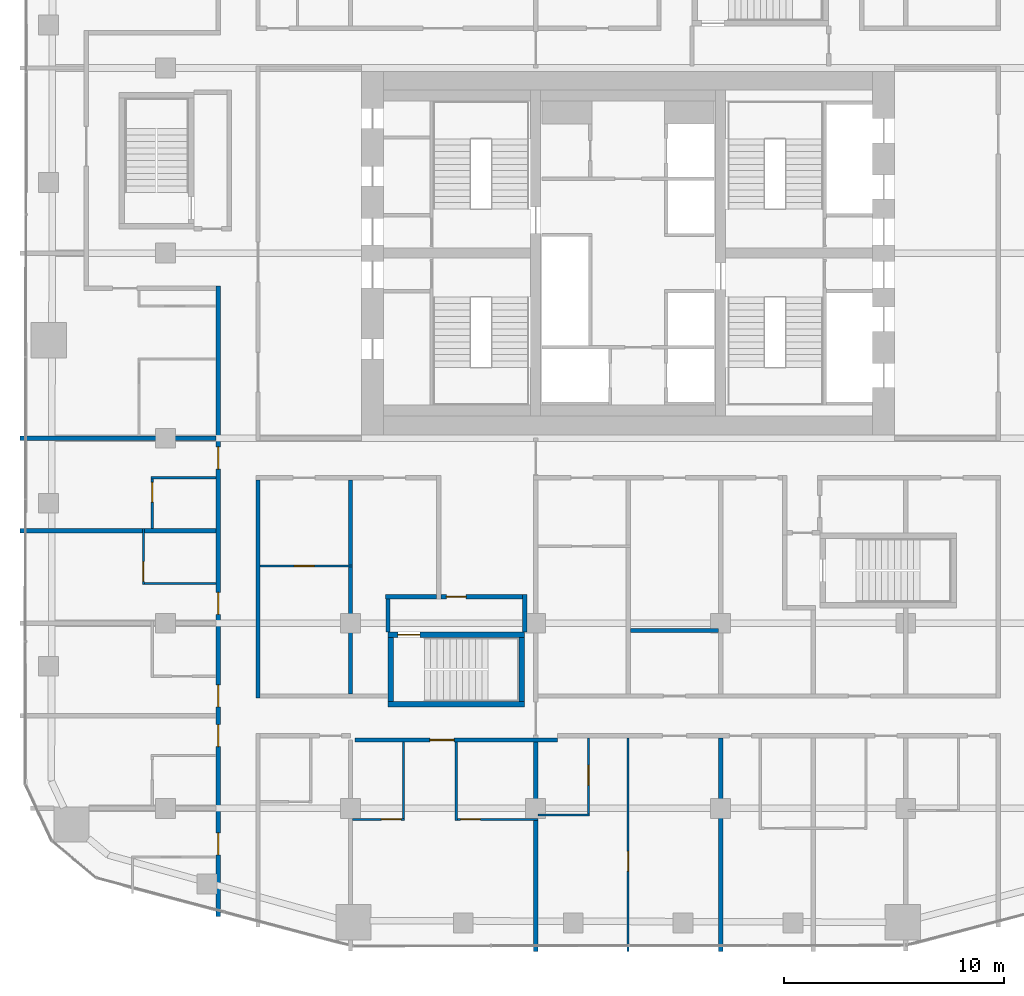
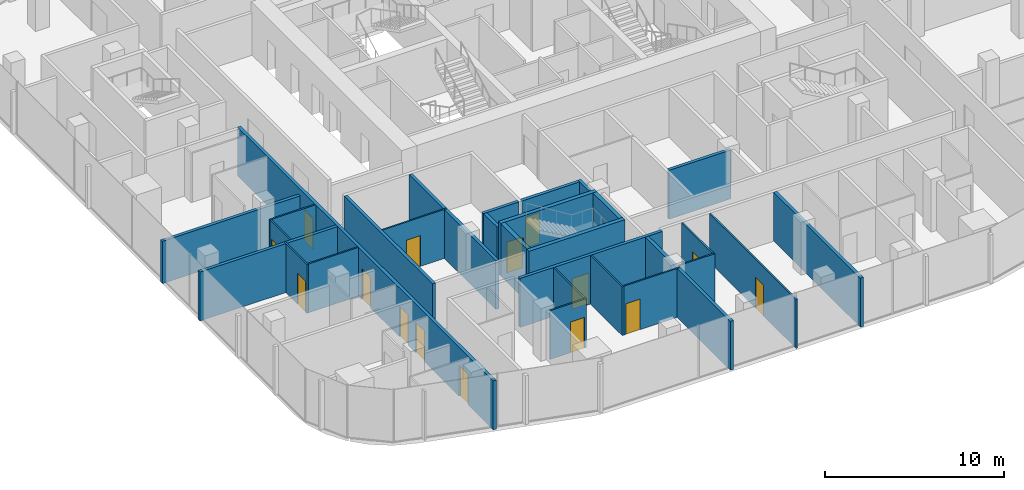
# One storey, part 14 of 23: 29 walls, 15 doors, 15 openings.
"""IFC4 building model written with IfcOpenShell, lengths in metres."""

from ifc_helpers import new_model, si_unit, direction, frame, frame_2d, origin, place, context, subcontext, project, spatial, rectangle, extrude, material, layer, layer_set, type_object, element, fill, save


model = new_model("IFC4")

# Units and contexts
model_context = context("Model", 3, precision=1e-05, world=origin(), true_north=direction((0.0, 1.0)))
body_context = subcontext(model_context, "Body", "Model", "MODEL_VIEW")
ifc_project = project(units=[si_unit("LENGTHUNIT", "METRE"), si_unit("AREAUNIT", "SQUARE_METRE"), si_unit("VOLUMEUNIT", "CUBIC_METRE"), si_unit("PLANEANGLEUNIT", "RADIAN"), si_unit("MASSUNIT", "GRAM", prefix="KILO")], contexts=[model_context])

# Site, building, storey
site_placement = place(None, origin())
site = spatial("IfcSite", under=ifc_project, at=site_placement, CompositionType="ELEMENT")
building_placement = place(site_placement, origin())
building = spatial("IfcBuilding", under=site, at=building_placement, Name="Marenta Gate Hotel Tower", CompositionType="ELEMENT")
storey_placement = place(building_placement, frame((0.0, 0.0, 148.10009765625)))
storey = spatial("IfcBuildingStorey", under=building, at=storey_placement, Name="L34", CompositionType="ELEMENT", Elevation=148.10009765625)

# Walls
ifc_material_1 = material(Name="Concrete blockwork", Category="masonry")
ifc_layer_1 = layer(ifc_material_1, 0.199951171875)
ifc_layer_set_1 = layer_set([ifc_layer_1], Name="Concrete blockwork")
wall_type_1 = type_object("IfcWallType", Name="Compartment wall 200 REI 180", PredefinedType="PARTITIONING", material=ifc_layer_set_1)
wall_1_placement = place(storey_placement, frame((-4.199951171875, -23.300048828125, 0.0), z_axis=(0.0, 0.0, 1.0), x_axis=(0.0, 1.0, 0.0)))
element("IfcWall", 1, at=wall_1_placement, inside=storey, type_object=wall_type_1, Name="L34-PTN-W073", PredefinedType="PARTITIONING", context=body_context, shape_type="SweptSolid", body=[
    extrude(rectangle(XDim=9.5, YDim=0.199951171875, at=frame_2d((4.75, 0.0))), origin(), (0.0, 0.0, 1.0), 3.33984375),
])
ifc_material_2 = material(Name="Concrete C40", Category="concrete")
ifc_layer_2 = layer(ifc_material_2, 0.25)
ifc_layer_set_2 = layer_set([ifc_layer_2], Name="Concrete C40")
wall_type_2 = type_object("IfcWallType", Name="Remote stair enclosure wall 250 REI 180", PredefinedType="SHEAR", material=ifc_layer_set_2)
wall_2_placement = place(storey_placement, frame((-10.89990234375, -12.074951171875, 0.099853515625), z_axis=(0.0, 0.0, 1.0), x_axis=(1.0, 0.0, 0.0)))
element("IfcWall", 2, at=wall_2_placement, inside=storey, type_object=wall_type_2, Name="L34-RS-Z2-1-W1", PredefinedType="SHEAR", context=body_context, shape_type="SweptSolid", body=[
    extrude(rectangle(XDim=6.199951171875, YDim=0.25, at=frame_2d((3.10009765625, 0.0))), origin(), (0.0, 0.0, 1.0), 3.60009765625),
])

# Wall, opening, door
wall_3_placement = place(storey_placement, frame((-10.89990234375, -8.925048828125, 0.099853515625), z_axis=(0.0, 0.0, 1.0), x_axis=(1.0, 0.0, 0.0)))
wall_3 = element("IfcWall", 3, at=wall_3_placement, inside=storey, type_object=wall_type_2, Name="L34-RS-Z2-1-W2", PredefinedType="SHEAR", context=body_context, shape_type="SweptSolid", body=[
    extrude(rectangle(XDim=6.199951171875, YDim=0.25, at=frame_2d((3.10009765625, 0.0))), origin(), (0.0, 0.0, 1.0), 3.60009765625),
])
opening_1_placement = place(wall_3_placement, frame((0.449951171875, 0.0, 0.0)))
opening_1 = element("IfcOpeningElement", 4, at=opening_1_placement, cuts=wall_3, Name="Opening VD", PredefinedType="OPENING", context=body_context, shape_type="SweptSolid", body=[
    extrude(rectangle(XDim=1.0, YDim=2.10009765625, at=frame_2d((0.5, 1.050048828125))), frame((0.0, 0.125, 0.0), z_axis=(0.0, -1.0, 0.0), x_axis=(1.0, 0.0, 0.0)), (0.0, 0.0, 1.0), 0.25),
])
ifc_material_3 = material(Name="Steel", Category="steel")
door_type_1 = type_object("IfcDoorType", Name="Stair vestibule door 1000x2100 FD60", OperationType="SINGLE_SWING_LEFT", PredefinedType="DOOR", material=ifc_material_3)
door_1_placement = place(opening_1_placement, origin())
door_1 = element("IfcDoor", 5, at=door_1_placement, inside=storey, type_object=door_type_1, Name="VD", OperationType="SINGLE_SWING_LEFT", OverallHeight=2.10009765625, OverallWidth=1.0, PredefinedType="DOOR", context=body_context, shape_type="SweptSolid", body=[
    extrude(rectangle(XDim=1.0, YDim=2.10009765625, at=frame_2d((0.5, 1.050048828125))), frame((0.0, 0.02490234375, 0.0), z_axis=(0.0, -1.0, 0.0), x_axis=(1.0, 0.0, 0.0)), (0.0, 0.0, 1.0), 0.050048828125),
])
fill(opening_1, door_1)

# Walls
for number, where, z_axis, x_axis, name in (
    (6, (-10.77490234375, -11.949951171875, 0.099853515625), (0.0, 0.0, 1.0), (0.0, 1.0, 0.0), "L34-RS-Z2-1-W3"),
    (7, (-4.824951171875, -11.949951171875, 0.099853515625), (0.0, 0.0, 1.0), (0.0, 1.0, 0.0), "L34-RS-Z2-1-W4"),
):
    element("IfcWall", number, at=place(storey_placement, frame(where, z_axis=z_axis, x_axis=x_axis)), inside=storey, type_object=wall_type_2, Name=name, PredefinedType="SHEAR", context=body_context, shape_type="SweptSolid", body=[
        extrude(rectangle(XDim=2.89990234375, YDim=0.25, at=frame_2d((1.449951171875, 0.0))), origin(), (0.0, 0.0, 1.0), 3.60009765625),
    ])

# Wall, opening, door
ifc_material_4 = material(Name="Gypsum board on steel stud", Category="steel")
ifc_layer_3 = layer(ifc_material_4, 0.199951171875)
ifc_layer_set_3 = layer_set([ifc_layer_3], Name="Gypsum board on steel stud")
wall_type_3 = type_object("IfcWallType", Name="Room corridor wall 200 EI 60", PredefinedType="PARTITIONING", material=ifc_layer_set_3)
wall_4_placement = place(storey_placement, frame((-12.39990234375, -13.699951171875, 0.0), z_axis=(0.0, 0.0, 1.0), x_axis=(1.0, 0.0, 0.0)))
wall_4 = element("IfcWall", 8, at=wall_4_placement, inside=storey, type_object=wall_type_3, Name="L34-PTN-W024", PredefinedType="PARTITIONING", context=body_context, shape_type="SweptSolid", body=[
    extrude(rectangle(XDim=9.199951171875, YDim=0.199951171875, at=frame_2d((4.60009765625, 0.0))), origin(), (0.0, 0.0, 1.0), 3.33984375),
])
opening_2_placement = place(wall_4_placement, frame((3.39990234375, 0.0, 0.0)))
opening_2 = element("IfcOpeningElement", 9, at=opening_2_placement, cuts=wall_4, Name="Opening G13-31", PredefinedType="OPENING", context=body_context, shape_type="SweptSolid", body=[
    extrude(rectangle(XDim=1.10009765625, YDim=2.10009765625, at=frame_2d((0.550048828125, 1.050048828125))), frame((0.0, 0.10009765625, 0.0), z_axis=(0.0, -1.0, 0.0), x_axis=(1.0, 0.0, 0.0)), (0.0, 0.0, 1.0), 0.199951171875),
])
ifc_material_5 = material(Name="Timber door leaf", Category="wood")
door_type_2 = type_object("IfcDoorType", Name="Guest room door 1100x2100 EI 30", OperationType="NOTDEFINED", PredefinedType="DOOR", material=ifc_material_5)
door_2_placement = place(opening_2_placement, origin())
door_2 = element("IfcDoor", 10, at=door_2_placement, inside=storey, type_object=door_type_2, Name="L34-PD-D031", OperationType="SINGLE_SWING_LEFT", OverallHeight=2.10009765625, OverallWidth=1.10009765625, PredefinedType="DOOR", context=body_context, shape_type="SweptSolid", body=[
    extrude(rectangle(XDim=1.10009765625, YDim=2.10009765625, at=frame_2d((0.550048828125, 1.050048828125))), frame((0.0, 0.02490234375, 0.0), z_axis=(0.0, -1.0, 0.0), x_axis=(1.0, 0.0, 0.0)), (0.0, 0.0, 1.0), 0.050048828125),
])
fill(opening_2, door_2)

# Wall
wall_5_placement = place(storey_placement, frame((-16.800048828125, -11.800048828125, 0.0), z_axis=(0.0, 0.0, 1.0), x_axis=(0.0, 1.0, 0.0)))
element("IfcWall", 11, at=wall_5_placement, inside=storey, type_object=wall_type_3, Name="L34-PTN-W095", PredefinedType="PARTITIONING", context=body_context, shape_type="SweptSolid", body=[
    extrude(rectangle(XDim=9.900146484375, YDim=0.199951171875, at=frame_2d((4.9501953125, 0.0))), origin(), (0.0, 0.0, 1.0), 3.33984375),
])

# Wall, openings, doors
wall_6_placement = place(storey_placement, frame((-18.60009765625, -21.7080078125, 0.0), z_axis=(0.0, 0.0, 1.0), x_axis=(0.0, 1.0, 0.0)))
wall_6 = element("IfcWall", 12, at=wall_6_placement, inside=storey, type_object=wall_type_3, Name="L34-PTN-W101", PredefinedType="PARTITIONING", context=body_context, shape_type="SweptSolid", body=[
    extrude(rectangle(XDim=28.60791015625, YDim=0.199951171875, at=frame_2d((14.303955078125, 0.0))), origin(), (0.0, 0.0, 1.0), 3.33984375),
])
opening_3_placement = place(wall_6_placement, frame((2.800048828125, 0.0, 0.0)))
opening_3 = element("IfcOpeningElement", 13, at=opening_3_placement, cuts=wall_6, Name="Opening G13-43", PredefinedType="OPENING", context=body_context, shape_type="SweptSolid", body=[
    extrude(rectangle(XDim=1.0, YDim=2.10009765625, at=frame_2d((0.5, 1.050048828125))), frame((0.0, 0.10009765625, 0.0), z_axis=(0.0, -1.0, 0.0), x_axis=(1.0, 0.0, 0.0)), (0.0, 0.0, 1.0), 0.199951171875),
])
opening_4_placement = place(wall_6_placement, frame((7.7080078125, 0.0, 0.0)))
opening_4 = element("IfcOpeningElement", 14, at=opening_4_placement, cuts=wall_6, Name="Opening G13-45", PredefinedType="OPENING", context=body_context, shape_type="SweptSolid", body=[
    extrude(rectangle(XDim=1.0, YDim=2.10009765625, at=frame_2d((0.5, 1.050048828125))), frame((0.0, 0.10009765625, 0.0), z_axis=(0.0, -1.0, 0.0), x_axis=(1.0, 0.0, 0.0)), (0.0, 0.0, 1.0), 0.199951171875),
])
opening_5_placement = place(wall_6_placement, frame((9.508056640625, 0.0, 0.0)))
opening_5 = element("IfcOpeningElement", 15, at=opening_5_placement, cuts=wall_6, Name="Opening G13-47", PredefinedType="OPENING", context=body_context, shape_type="SweptSolid", body=[
    extrude(rectangle(XDim=1.0, YDim=2.10009765625, at=frame_2d((0.5, 1.050048828125))), frame((0.0, 0.10009765625, 0.0), z_axis=(0.0, -1.0, 0.0), x_axis=(1.0, 0.0, 0.0)), (0.0, 0.0, 1.0), 0.199951171875),
])
opening_6_placement = place(wall_6_placement, frame((13.7080078125, 0.0, 0.0)))
opening_6 = element("IfcOpeningElement", 16, at=opening_6_placement, cuts=wall_6, Name="Opening G13-49", PredefinedType="OPENING", context=body_context, shape_type="SweptSolid", body=[
    extrude(rectangle(XDim=1.0, YDim=2.10009765625, at=frame_2d((0.5, 1.050048828125))), frame((0.0, 0.10009765625, 0.0), z_axis=(0.0, -1.0, 0.0), x_axis=(1.0, 0.0, 0.0)), (0.0, 0.0, 1.0), 0.199951171875),
])
opening_7_placement = place(wall_6_placement, frame((20.30810546875, 0.0, 0.0)))
opening_7 = element("IfcOpeningElement", 17, at=opening_7_placement, cuts=wall_6, Name="Opening G13-51", PredefinedType="OPENING", context=body_context, shape_type="SweptSolid", body=[
    extrude(rectangle(XDim=1.0, YDim=2.10009765625, at=frame_2d((0.5, 1.050048828125))), frame((0.0, 0.10009765625, 0.0), z_axis=(0.0, -1.0, 0.0), x_axis=(1.0, 0.0, 0.0)), (0.0, 0.0, 1.0), 0.199951171875),
])
ifc_material_6 = material(Name="Timber door leaf", Category="wood")
door_type_3 = type_object("IfcDoorType", Name="Guest room door 1000x2100 EI 30", OperationType="NOTDEFINED", PredefinedType="DOOR", material=ifc_material_6)
door_3_placement = place(opening_3_placement, origin())
door_3 = element("IfcDoor", 18, at=door_3_placement, inside=storey, type_object=door_type_3, Name="L34-PD-D043", OperationType="SINGLE_SWING_LEFT", OverallHeight=2.10009765625, OverallWidth=1.0, PredefinedType="DOOR", context=body_context, shape_type="SweptSolid", body=[
    extrude(rectangle(XDim=1.0, YDim=2.10009765625, at=frame_2d((0.5, 1.050048828125))), frame((0.0, 0.02490234375, 0.0), z_axis=(0.0, -1.0, 0.0), x_axis=(1.0, 0.0, 0.0)), (0.0, 0.0, 1.0), 0.050048828125),
])
fill(opening_3, door_3)
door_4_placement = place(opening_4_placement, origin())
door_4 = element("IfcDoor", 19, at=door_4_placement, inside=storey, type_object=door_type_3, Name="L34-PD-D045", OperationType="SINGLE_SWING_RIGHT", OverallHeight=2.10009765625, OverallWidth=1.0, PredefinedType="DOOR", context=body_context, shape_type="SweptSolid", body=[
    extrude(rectangle(XDim=1.0, YDim=2.10009765625, at=frame_2d((0.5, 1.050048828125))), frame((0.0, 0.02490234375, 0.0), z_axis=(0.0, -1.0, 0.0), x_axis=(1.0, 0.0, 0.0)), (0.0, 0.0, 1.0), 0.050048828125),
])
fill(opening_4, door_4)
door_5_placement = place(opening_5_placement, origin())
door_5 = element("IfcDoor", 20, at=door_5_placement, inside=storey, type_object=door_type_3, Name="L34-PD-D047", OperationType="SINGLE_SWING_RIGHT", OverallHeight=2.10009765625, OverallWidth=1.0, PredefinedType="DOOR", context=body_context, shape_type="SweptSolid", body=[
    extrude(rectangle(XDim=1.0, YDim=2.10009765625, at=frame_2d((0.5, 1.050048828125))), frame((0.0, 0.02490234375, 0.0), z_axis=(0.0, -1.0, 0.0), x_axis=(1.0, 0.0, 0.0)), (0.0, 0.0, 1.0), 0.050048828125),
])
fill(opening_5, door_5)
door_6_placement = place(opening_6_placement, origin())
door_6 = element("IfcDoor", 21, at=door_6_placement, inside=storey, type_object=door_type_3, Name="L34-PD-D049", OperationType="SINGLE_SWING_RIGHT", OverallHeight=2.10009765625, OverallWidth=1.0, PredefinedType="DOOR", context=body_context, shape_type="SweptSolid", body=[
    extrude(rectangle(XDim=1.0, YDim=2.10009765625, at=frame_2d((0.5, 1.050048828125))), frame((0.0, 0.02490234375, 0.0), z_axis=(0.0, -1.0, 0.0), x_axis=(1.0, 0.0, 0.0)), (0.0, 0.0, 1.0), 0.050048828125),
])
fill(opening_6, door_6)
door_7_placement = place(opening_7_placement, origin())
door_7 = element("IfcDoor", 22, at=door_7_placement, inside=storey, type_object=door_type_3, Name="L34-PD-D051", OperationType="SINGLE_SWING_RIGHT", OverallHeight=2.10009765625, OverallWidth=1.0, PredefinedType="DOOR", context=body_context, shape_type="SweptSolid", body=[
    extrude(rectangle(XDim=1.0, YDim=2.10009765625, at=frame_2d((0.5, 1.050048828125))), frame((0.0, 0.02490234375, 0.0), z_axis=(0.0, -1.0, 0.0), x_axis=(1.0, 0.0, 0.0)), (0.0, 0.0, 1.0), 0.050048828125),
])
fill(opening_7, door_7)

# Wall, opening, door
ifc_material_7 = material(Name="Concrete blockwork", Category="masonry")
ifc_layer_4 = layer(ifc_material_7, 0.199951171875)
ifc_layer_set_4 = layer_set([ifc_layer_4], Name="Concrete blockwork")
wall_type_4 = type_object("IfcWallType", Name="Room corridor wall 200 REI 180", PredefinedType="PARTITIONING", material=ifc_layer_set_4)
wall_7_placement = place(storey_placement, frame((-8.5, -7.199951171875, 0.0), z_axis=(0.0, 0.0, 1.0), x_axis=(1.0, 0.0, 0.0)))
wall_7 = element("IfcWall", 23, at=wall_7_placement, inside=storey, type_object=wall_type_4, Name="L34-PTN-W048", PredefinedType="PARTITIONING", context=body_context, shape_type="SweptSolid", body=[
    extrude(rectangle(XDim=3.699951171875, YDim=0.199951171875, at=frame_2d((1.85009765625, 0.0))), origin(), (0.0, 0.0, 1.0), 3.33984375),
])
opening_8_placement = place(wall_7_placement, frame((0.25, 0.0, 0.0)))
opening_8 = element("IfcOpeningElement", 24, at=opening_8_placement, cuts=wall_7, Name="Opening G13-59", PredefinedType="OPENING", context=body_context, shape_type="SweptSolid", body=[
    extrude(rectangle(XDim=0.89990234375, YDim=2.10009765625, at=frame_2d((0.449951171875, 1.050048828125))), frame((0.0, 0.10009765625, 0.0), z_axis=(0.0, -1.0, 0.0), x_axis=(1.0, 0.0, 0.0)), (0.0, 0.0, 1.0), 0.199951171875),
])
ifc_material_8 = material(Name="Hollow steel door set", Category="steel")
door_type_4 = type_object("IfcDoorType", Name="Stair vestibule door 900x2100 EI 60", OperationType="NOTDEFINED", PredefinedType="DOOR", material=ifc_material_8)
door_8_placement = place(opening_8_placement, origin())
door_8 = element("IfcDoor", 25, at=door_8_placement, inside=storey, type_object=door_type_4, Name="L34-PD-D059", OperationType="SINGLE_SWING_RIGHT", OverallHeight=2.10009765625, OverallWidth=0.89990234375, PredefinedType="DOOR", context=body_context, shape_type="SweptSolid", body=[
    extrude(rectangle(XDim=0.89990234375, YDim=2.10009765625, at=frame_2d((0.449951171875, 1.050048828125))), frame((0.0, 0.02490234375, 0.0), z_axis=(0.0, -1.0, 0.0), x_axis=(1.0, 0.0, 0.0)), (0.0, 0.0, 1.0), 0.050048828125),
])
fill(opening_8, door_8)

# Wall
wall_8_placement = place(storey_placement, frame((-4.699951171875, -8.800048828125, 0.0), z_axis=(0.0, 0.0, 1.0), x_axis=(0.0, 1.0, 0.0)))
element("IfcWall", 26, at=wall_8_placement, inside=storey, type_object=wall_type_4, Name="L34-PTN-W077", PredefinedType="PARTITIONING", context=body_context, shape_type="SweptSolid", body=[
    extrude(rectangle(XDim=1.699951171875, YDim=0.199951171875, at=frame_2d((0.85009765625, 0.0))), origin(), (0.0, 0.0, 1.0), 3.33984375),
])

# Wall, opening, door
ifc_material_9 = material(Name="Gypsum board on steel stud", Category="steel")
ifc_layer_5 = layer(ifc_material_9, 0.10009765625)
ifc_layer_set_5 = layer_set([ifc_layer_5], Name="Gypsum board on steel stud")
wall_type_5 = type_object("IfcWallType", Name="Room partition 100", PredefinedType="PARTITIONING", material=ifc_layer_set_5)
wall_9_placement = place(storey_placement, frame((-12.5, -17.300048828125, 0.0), z_axis=(0.0, 0.0, 1.0), x_axis=(1.0, 0.0, 0.0)))
wall_9 = element("IfcWall", 27, at=wall_9_placement, inside=storey, type_object=wall_type_5, Name="L34-PTN-W011", PredefinedType="PARTITIONING", context=body_context, shape_type="SweptSolid", body=[
    extrude(rectangle(XDim=2.35009765625, YDim=0.10009765625, at=frame_2d((1.175048828125, 0.0))), origin(), (0.0, 0.0, 1.0), 3.33984375),
])
opening_9_placement = place(wall_9_placement, frame((1.300048828125, 0.0, 0.0)))
opening_9 = element("IfcOpeningElement", 28, at=opening_9_placement, cuts=wall_9, Name="Opening G13-33", PredefinedType="OPENING", context=body_context, shape_type="SweptSolid", body=[
    extrude(rectangle(XDim=0.89990234375, YDim=2.10009765625, at=frame_2d((0.449951171875, 1.050048828125))), frame((0.0, 0.050048828125, 0.0), z_axis=(0.0, -1.0, 0.0), x_axis=(1.0, 0.0, 0.0)), (0.0, 0.0, 1.0), 0.10009765625),
])
ifc_material_10 = material(Name="Timber door leaf", Category="wood")
door_type_5 = type_object("IfcDoorType", Name="Room inner door 900x2100", OperationType="NOTDEFINED", PredefinedType="DOOR", material=ifc_material_10)
door_9_placement = place(opening_9_placement, origin())
door_9 = element("IfcDoor", 29, at=door_9_placement, inside=storey, type_object=door_type_5, Name="L34-PD-D033", OperationType="SINGLE_SWING_RIGHT", OverallHeight=2.10009765625, OverallWidth=0.89990234375, PredefinedType="DOOR", context=body_context, shape_type="SweptSolid", body=[
    extrude(rectangle(XDim=0.89990234375, YDim=2.10009765625, at=frame_2d((0.449951171875, 1.050048828125))), frame((0.0, 0.02490234375, 0.0), z_axis=(0.0, -1.0, 0.0), x_axis=(1.0, 0.0, 0.0)), (0.0, 0.0, 1.0), 0.050048828125),
])
fill(opening_9, door_9)

wall_10_placement = place(storey_placement, frame((-7.75, -17.300048828125, 0.0), z_axis=(0.0, 0.0, 1.0), x_axis=(1.0, 0.0, 0.0)))
wall_10 = element("IfcWall", 30, at=wall_10_placement, inside=storey, type_object=wall_type_5, Name="L34-PTN-W012", PredefinedType="PARTITIONING", context=body_context, shape_type="SweptSolid", body=[
    extrude(rectangle(XDim=3.64990234375, YDim=0.10009765625, at=frame_2d((1.824951171875, 0.0))), origin(), (0.0, 0.0, 1.0), 3.33984375),
])
opening_10_placement = place(wall_10_placement, frame((0.14990234375, 0.0, 0.0)))
opening_10 = element("IfcOpeningElement", 31, at=opening_10_placement, cuts=wall_10, Name="Opening G13-32", PredefinedType="OPENING", context=body_context, shape_type="SweptSolid", body=[
    extrude(rectangle(XDim=0.89990234375, YDim=2.10009765625, at=frame_2d((0.449951171875, 1.050048828125))), frame((0.0, 0.050048828125, 0.0), z_axis=(0.0, -1.0, 0.0), x_axis=(1.0, 0.0, 0.0)), (0.0, 0.0, 1.0), 0.10009765625),
])
ifc_material_11 = material(Name="Timber door leaf", Category="wood")
door_type_6 = type_object("IfcDoorType", Name="Guest bathroom door 900x2100", OperationType="NOTDEFINED", PredefinedType="DOOR", material=ifc_material_11)
door_10_placement = place(opening_10_placement, origin())
door_10 = element("IfcDoor", 32, at=door_10_placement, inside=storey, type_object=door_type_6, Name="L34-PD-D032", OperationType="SINGLE_SWING_LEFT", OverallHeight=2.10009765625, OverallWidth=0.89990234375, PredefinedType="DOOR", context=body_context, shape_type="SweptSolid", body=[
    extrude(rectangle(XDim=0.89990234375, YDim=2.10009765625, at=frame_2d((0.449951171875, 1.050048828125))), frame((0.0, 0.02490234375, 0.0), z_axis=(0.0, -1.0, 0.0), x_axis=(1.0, 0.0, 0.0)), (0.0, 0.0, 1.0), 0.050048828125),
])
fill(opening_10, door_10)

# Walls
wall_11_placement = place(storey_placement, frame((-4.10009765625, -17.10009765625, 0.0), z_axis=(0.0, 0.0, 1.0), x_axis=(1.0, 0.0, 0.0)))
element("IfcWall", 33, at=wall_11_placement, inside=storey, type_object=wall_type_5, Name="L34-PTN-W013", PredefinedType="PARTITIONING", context=body_context, shape_type="SweptSolid", body=[
    extrude(rectangle(XDim=2.35009765625, YDim=0.10009765625, at=frame_2d((1.175048828125, 0.0))), origin(), (0.0, 0.0, 1.0), 3.33984375),
])
wall_12_placement = place(storey_placement, frame((-21.949951171875, -6.60009765625, 0.0), z_axis=(0.0, 0.0, 1.0), x_axis=(1.0, 0.0, 0.0)))
element("IfcWall", 34, at=wall_12_placement, inside=storey, type_object=wall_type_5, Name="L34-PTN-W051", PredefinedType="PARTITIONING", context=body_context, shape_type="SweptSolid", body=[
    extrude(rectangle(XDim=3.25, YDim=0.10009765625, at=frame_2d((1.625, 0.0))), origin(), (0.0, 0.0, 1.0), 3.33984375),
])

# Wall, opening, door
wall_13_placement = place(storey_placement, frame((-16.699951171875, -5.800048828125, 0.0), z_axis=(0.0, 0.0, 1.0), x_axis=(1.0, 0.0, 0.0)))
wall_13 = element("IfcWall", 35, at=wall_13_placement, inside=storey, type_object=wall_type_5, Name="L34-PTN-W053", PredefinedType="PARTITIONING", context=body_context, shape_type="SweptSolid", body=[
    extrude(rectangle(XDim=4.199951171875, YDim=0.10009765625, at=frame_2d((2.10009765625, 0.0))), origin(), (0.0, 0.0, 1.0), 3.33984375),
])
opening_11_placement = place(wall_13_placement, frame((1.550048828125, 0.0, 0.0)))
opening_11 = element("IfcOpeningElement", 36, at=opening_11_placement, cuts=wall_13, Name="Opening G13-02", PredefinedType="OPENING", context=body_context, shape_type="SweptSolid", body=[
    extrude(rectangle(XDim=0.89990234375, YDim=2.10009765625, at=frame_2d((0.449951171875, 1.050048828125))), frame((0.0, 0.050048828125, 0.0), z_axis=(0.0, -1.0, 0.0), x_axis=(1.0, 0.0, 0.0)), (0.0, 0.0, 1.0), 0.10009765625),
])
door_11_placement = place(opening_11_placement, origin())
door_11 = element("IfcDoor", 37, at=door_11_placement, inside=storey, type_object=door_type_5, Name="L34-PD-D002", OperationType="SINGLE_SWING_RIGHT", OverallHeight=2.10009765625, OverallWidth=0.89990234375, PredefinedType="DOOR", context=body_context, shape_type="SweptSolid", body=[
    extrude(rectangle(XDim=0.89990234375, YDim=2.10009765625, at=frame_2d((0.449951171875, 1.050048828125))), frame((0.0, 0.02490234375, 0.0), z_axis=(0.0, -1.0, 0.0), x_axis=(1.0, 0.0, 0.0)), (0.0, 0.0, 1.0), 0.050048828125),
])
fill(opening_11, door_11)

# Wall
wall_14_placement = place(storey_placement, frame((-21.64990234375, -1.800048828125, 0.0), z_axis=(0.0, 0.0, 1.0), x_axis=(1.0, 0.0, 0.0)))
element("IfcWall", 38, at=wall_14_placement, inside=storey, type_object=wall_type_5, Name="L34-PTN-W061", PredefinedType="PARTITIONING", context=body_context, shape_type="SweptSolid", body=[
    extrude(rectangle(XDim=2.949951171875, YDim=0.10009765625, at=frame_2d((1.47509765625, 0.0))), origin(), (0.0, 0.0, 1.0), 3.33984375),
])

# Wall, opening, door
wall_15_placement = place(storey_placement, frame((0.0, -23.300048828125, 0.0), z_axis=(0.0, 0.0, 1.0), x_axis=(0.0, 1.0, 0.0)))
wall_15 = element("IfcWall", 39, at=wall_15_placement, inside=storey, type_object=wall_type_5, Name="L34-PTN-W066", PredefinedType="PARTITIONING", context=body_context, shape_type="SweptSolid", body=[
    extrude(rectangle(XDim=9.699951171875, YDim=0.10009765625, at=frame_2d((4.85009765625, 0.0))), origin(), (0.0, 0.0, 1.0), 3.33984375),
])
opening_12_placement = place(wall_15_placement, frame((3.64990234375, 0.0, 0.0)))
opening_12 = element("IfcOpeningElement", 40, at=opening_12_placement, cuts=wall_15, Name="Opening G13-35", PredefinedType="OPENING", context=body_context, shape_type="SweptSolid", body=[
    extrude(rectangle(XDim=0.89990234375, YDim=2.10009765625, at=frame_2d((0.449951171875, 1.050048828125))), frame((0.0, 0.050048828125, 0.0), z_axis=(0.0, -1.0, 0.0), x_axis=(1.0, 0.0, 0.0)), (0.0, 0.0, 1.0), 0.10009765625),
])
door_12_placement = place(opening_12_placement, origin())
door_12 = element("IfcDoor", 41, at=door_12_placement, inside=storey, type_object=door_type_5, Name="L34-PD-D035", OperationType="SINGLE_SWING_RIGHT", OverallHeight=2.10009765625, OverallWidth=0.89990234375, PredefinedType="DOOR", context=body_context, shape_type="SweptSolid", body=[
    extrude(rectangle(XDim=0.89990234375, YDim=2.10009765625, at=frame_2d((0.449951171875, 1.050048828125))), frame((0.0, 0.02490234375, 0.0), z_axis=(0.0, -1.0, 0.0), x_axis=(1.0, 0.0, 0.0)), (0.0, 0.0, 1.0), 0.050048828125),
])
fill(opening_12, door_12)

wall_16_placement = place(storey_placement, frame((-1.800048828125, -17.050048828125, 0.0), z_axis=(0.0, 0.0, 1.0), x_axis=(0.0, 1.0, 0.0)))
wall_16 = element("IfcWall", 42, at=wall_16_placement, inside=storey, type_object=wall_type_5, Name="L34-PTN-W070", PredefinedType="PARTITIONING", context=body_context, shape_type="SweptSolid", body=[
    extrude(rectangle(XDim=3.449951171875, YDim=0.10009765625, at=frame_2d((1.72509765625, 0.0))), origin(), (0.0, 0.0, 1.0), 3.33984375),
])
opening_13_placement = place(wall_16_placement, frame((1.300048828125, 0.0, 0.0)))
opening_13 = element("IfcOpeningElement", 43, at=opening_13_placement, cuts=wall_16, Name="Opening G13-36", PredefinedType="OPENING", context=body_context, shape_type="SweptSolid", body=[
    extrude(rectangle(XDim=0.89990234375, YDim=2.10009765625, at=frame_2d((0.449951171875, 1.050048828125))), frame((0.0, 0.050048828125, 0.0), z_axis=(0.0, -1.0, 0.0), x_axis=(1.0, 0.0, 0.0)), (0.0, 0.0, 1.0), 0.10009765625),
])
door_13_placement = place(opening_13_placement, origin())
door_13 = element("IfcDoor", 44, at=door_13_placement, inside=storey, type_object=door_type_6, Name="L34-PD-D036", OperationType="SINGLE_SWING_LEFT", OverallHeight=2.10009765625, OverallWidth=0.89990234375, PredefinedType="DOOR", context=body_context, shape_type="SweptSolid", body=[
    extrude(rectangle(XDim=0.89990234375, YDim=2.10009765625, at=frame_2d((0.449951171875, 1.050048828125))), frame((0.0, 0.02490234375, 0.0), z_axis=(0.0, -1.0, 0.0), x_axis=(1.0, 0.0, 0.0)), (0.0, 0.0, 1.0), 0.050048828125),
])
fill(opening_13, door_13)

# Walls
wall_17_placement = place(storey_placement, frame((-7.800048828125, -17.35009765625, 0.0), z_axis=(0.0, 0.0, 1.0), x_axis=(0.0, 1.0, 0.0)))
element("IfcWall", 45, at=wall_17_placement, inside=storey, type_object=wall_type_5, Name="L34-PTN-W081", PredefinedType="PARTITIONING", context=body_context, shape_type="SweptSolid", body=[
    extrude(rectangle(XDim=3.550048828125, YDim=0.10009765625, at=frame_2d((1.77490234375, 0.0))), origin(), (0.0, 0.0, 1.0), 3.33984375),
])
wall_18_placement = place(storey_placement, frame((-10.199951171875, -17.25, 0.0), z_axis=(0.0, 0.0, 1.0), x_axis=(0.0, 1.0, 0.0)))
element("IfcWall", 46, at=wall_18_placement, inside=storey, type_object=wall_type_5, Name="L34-PTN-W086", PredefinedType="PARTITIONING", context=body_context, shape_type="SweptSolid", body=[
    extrude(rectangle(XDim=3.449951171875, YDim=0.10009765625, at=frame_2d((1.72509765625, 0.0))), origin(), (0.0, 0.0, 1.0), 3.33984375),
])

# Wall, opening, door
wall_19_placement = place(storey_placement, frame((-21.60009765625, -4.10009765625, 0.0), z_axis=(0.0, 0.0, 1.0), x_axis=(0.0, 1.0, 0.0)))
wall_19 = element("IfcWall", 47, at=wall_19_placement, inside=storey, type_object=wall_type_5, Name="L34-PTN-W109", PredefinedType="PARTITIONING", context=body_context, shape_type="SweptSolid", body=[
    extrude(rectangle(XDim=2.25, YDim=0.10009765625, at=frame_2d((1.125, 0.0))), origin(), (0.0, 0.0, 1.0), 3.33984375),
])
opening_14_placement = place(wall_19_placement, frame((1.199951171875, 0.0, 0.0)))
opening_14 = element("IfcOpeningElement", 48, at=opening_14_placement, cuts=wall_19, Name="Opening G13-52", PredefinedType="OPENING", context=body_context, shape_type="SweptSolid", body=[
    extrude(rectangle(XDim=0.89990234375, YDim=2.10009765625, at=frame_2d((0.449951171875, 1.050048828125))), frame((0.0, 0.050048828125, 0.0), z_axis=(0.0, -1.0, 0.0), x_axis=(1.0, 0.0, 0.0)), (0.0, 0.0, 1.0), 0.10009765625),
])
door_14_placement = place(opening_14_placement, origin())
door_14 = element("IfcDoor", 49, at=door_14_placement, inside=storey, type_object=door_type_6, Name="L34-PD-D052", OperationType="SINGLE_SWING_LEFT", OverallHeight=2.10009765625, OverallWidth=0.89990234375, PredefinedType="DOOR", context=body_context, shape_type="SweptSolid", body=[
    extrude(rectangle(XDim=0.89990234375, YDim=2.10009765625, at=frame_2d((0.449951171875, 1.050048828125))), frame((0.0, 0.02490234375, 0.0), z_axis=(0.0, -1.0, 0.0), x_axis=(1.0, 0.0, 0.0)), (0.0, 0.0, 1.0), 0.050048828125),
])
fill(opening_14, door_14)

wall_20_placement = place(storey_placement, frame((-22.0, -6.64990234375, 0.0), z_axis=(0.0, 0.0, 1.0), x_axis=(0.0, 1.0, 0.0)))
wall_20 = element("IfcWall", 50, at=wall_20_placement, inside=storey, type_object=wall_type_5, Name="L34-PTN-W110", PredefinedType="PARTITIONING", context=body_context, shape_type="SweptSolid", body=[
    extrude(rectangle(XDim=2.5498046875, YDim=0.10009765625, at=frame_2d((1.27490234375, 0.0))), origin(), (0.0, 0.0, 1.0), 3.33984375),
])
opening_15_placement = place(wall_20_placement, frame((0.14990234375, 0.0, 0.0)))
opening_15 = element("IfcOpeningElement", 51, at=opening_15_placement, cuts=wall_20, Name="Opening G13-50", PredefinedType="OPENING", context=body_context, shape_type="SweptSolid", body=[
    extrude(rectangle(XDim=0.89990234375, YDim=2.10009765625, at=frame_2d((0.449951171875, 1.050048828125))), frame((0.0, 0.050048828125, 0.0), z_axis=(0.0, -1.0, 0.0), x_axis=(1.0, 0.0, 0.0)), (0.0, 0.0, 1.0), 0.10009765625),
])
door_15_placement = place(opening_15_placement, origin())
door_15 = element("IfcDoor", 52, at=door_15_placement, inside=storey, type_object=door_type_6, Name="L34-PD-D050", OperationType="SINGLE_SWING_RIGHT", OverallHeight=2.10009765625, OverallWidth=0.89990234375, PredefinedType="DOOR", context=body_context, shape_type="SweptSolid", body=[
    extrude(rectangle(XDim=0.89990234375, YDim=2.10009765625, at=frame_2d((0.449951171875, 1.050048828125))), frame((0.0, 0.02490234375, 0.0), z_axis=(0.0, -1.0, 0.0), x_axis=(1.0, 0.0, 0.0)), (0.0, 0.0, 1.0), 0.050048828125),
])
fill(opening_15, door_15)

# Walls
ifc_material_12 = material(Name="Gypsum board on steel stud", Category="steel")
ifc_layer_6 = layer(ifc_material_12, 0.199951171875)
ifc_layer_set_6 = layer_set([ifc_layer_6], Name="Gypsum board on steel stud")
wall_type_6 = type_object("IfcWallType", Name="Room party wall 200 EI 60", PredefinedType="PARTITIONING", material=ifc_layer_set_6)
wall_21_placement = place(storey_placement, frame((0.10009765625, -8.72998046875, 0.0), z_axis=(0.0, 0.0, 1.0), x_axis=(1.0, 0.0, 0.0)))
element("IfcWall", 53, at=wall_21_placement, inside=storey, type_object=wall_type_6, Name="L34-PTN-W039", PredefinedType="PARTITIONING", context=body_context, shape_type="SweptSolid", body=[
    extrude(rectangle(XDim=4.0, YDim=0.199951171875, at=frame_2d((2.0, 0.0))), origin(), (0.0, 0.0, 1.0), 3.33984375),
])
wall_22_placement = place(storey_placement, frame((4.199951171875, -23.300048828125, 0.0), z_axis=(0.0, 0.0, 1.0), x_axis=(0.0, 1.0, 0.0)))
element("IfcWall", 54, at=wall_22_placement, inside=storey, type_object=wall_type_6, Name="L34-PTN-W056", PredefinedType="PARTITIONING", context=body_context, shape_type="SweptSolid", body=[
    extrude(rectangle(XDim=9.699951171875, YDim=0.199951171875, at=frame_2d((4.85009765625, 0.0))), origin(), (0.0, 0.0, 1.0), 3.33984375),
])
wall_23_placement = place(storey_placement, frame((-27.60009765625, -4.199951171875, 0.0), z_axis=(0.0, 0.0, 1.0), x_axis=(1.0, 0.0, 0.0)))
element("IfcWall", 55, at=wall_23_placement, inside=storey, type_object=wall_type_6, Name="L34-PTN-W059", PredefinedType="PARTITIONING", context=body_context, shape_type="SweptSolid", body=[
    extrude(rectangle(XDim=8.900146484375, YDim=0.199951171875, at=frame_2d((4.4501953125, 0.0))), origin(), (0.0, 0.0, 1.0), 3.33984375),
])
wall_24_placement = place(storey_placement, frame((-27.60009765625, 0.0, 0.0), z_axis=(0.0, 0.0, 1.0), x_axis=(1.0, 0.0, 0.0)))
element("IfcWall", 56, at=wall_24_placement, inside=storey, type_object=wall_type_6, Name="L34-PTN-W068", PredefinedType="PARTITIONING", context=body_context, shape_type="SweptSolid", body=[
    extrude(rectangle(XDim=8.900146484375, YDim=0.199951171875, at=frame_2d((4.4501953125, 0.0))), origin(), (0.0, 0.0, 1.0), 2.889892578125),
])
wall_25_placement = place(storey_placement, frame((-12.60009765625, -11.60009765625, 0.0), z_axis=(0.0, 0.0, 1.0), x_axis=(0.0, 1.0, 0.0)))
element("IfcWall", 57, at=wall_25_placement, inside=storey, type_object=wall_type_6, Name="L34-PTN-W089", PredefinedType="PARTITIONING", context=body_context, shape_type="SweptSolid", body=[
    extrude(rectangle(XDim=9.7001953125, YDim=0.199951171875, at=frame_2d((4.85009765625, 0.0))), origin(), (0.0, 0.0, 1.0), 3.33984375),
])
ifc_material_13 = material(Name="Concrete blockwork", Category="masonry")
ifc_layer_7 = layer(ifc_material_13, 0.199951171875)
ifc_layer_set_7 = layer_set([ifc_layer_7], Name="Concrete blockwork")
wall_type_7 = type_object("IfcWallType", Name="Room party wall 200 REI 180", PredefinedType="PARTITIONING", material=ifc_layer_set_7)
wall_26_placement = place(storey_placement, frame((-11.0, -7.199951171875, 0.0), z_axis=(0.0, 0.0, 1.0), x_axis=(1.0, 0.0, 0.0)))
element("IfcWall", 58, at=wall_26_placement, inside=storey, type_object=wall_type_7, Name="L34-PTN-W047", PredefinedType="PARTITIONING", context=body_context, shape_type="SweptSolid", body=[
    extrude(rectangle(XDim=2.300048828125, YDim=0.199951171875, at=frame_2d((1.14990234375, 0.0))), origin(), (0.0, 0.0, 1.0), 3.33984375),
])
wall_27_placement = place(storey_placement, frame((-10.89990234375, -8.800048828125, 0.0), z_axis=(0.0, 0.0, 1.0), x_axis=(0.0, 1.0, 0.0)))
element("IfcWall", 59, at=wall_27_placement, inside=storey, type_object=wall_type_7, Name="L34-PTN-W087", PredefinedType="PARTITIONING", context=body_context, shape_type="SweptSolid", body=[
    extrude(rectangle(XDim=1.5, YDim=0.199951171875, at=frame_2d((0.75, 0.0))), origin(), (0.0, 0.0, 1.0), 3.33984375),
])

save(model, "model.ifc")
